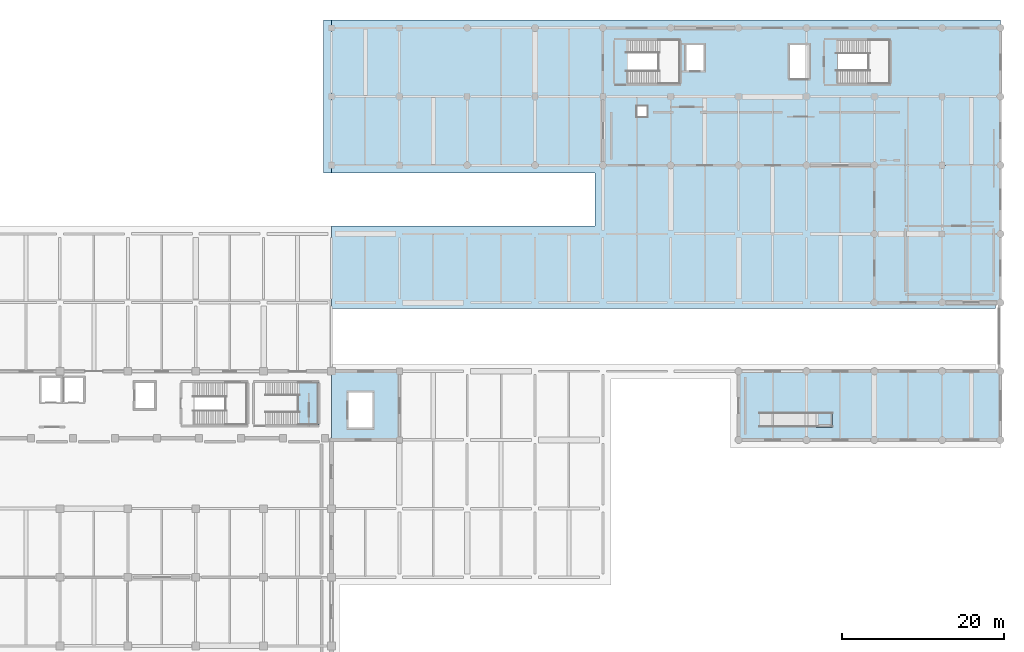
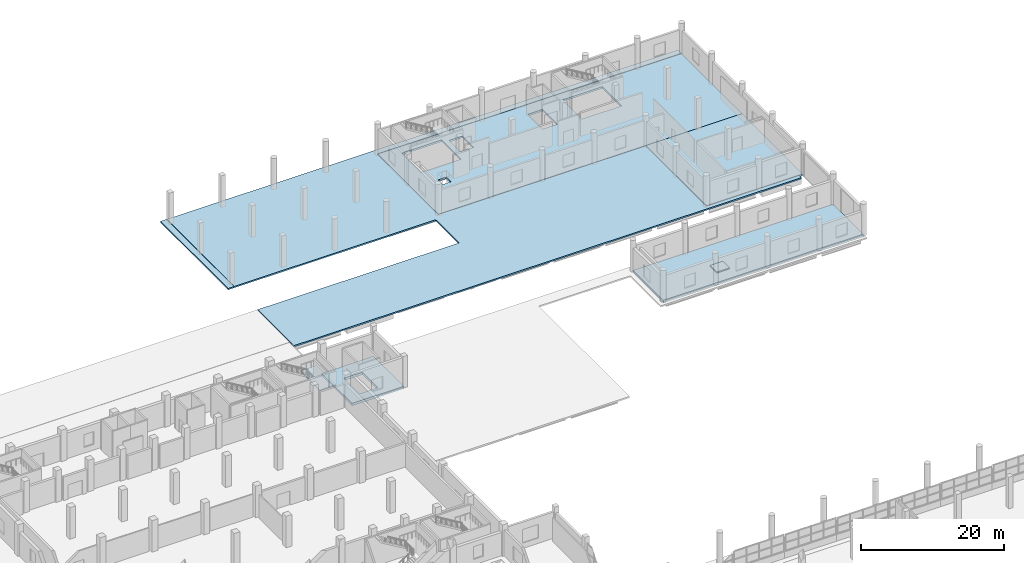
# One storey, part 83 of 107: 8 slabs, 2 elements without a shape of their own.
"""IFC4 building model written with IfcOpenShell, lengths in metres."""

from ifc_helpers import new_model, si_unit, direction, frame, origin, place, context, subcontext, project, spatial, polyline, outline, extrude, material, layer, layer_set, type_object, element, aggregate, save


model = new_model("IFC4")

# Units and contexts
model_context = context("Model", 3, precision=1e-05, world=origin(), true_north=direction((0.0, 1.0)))
body_context = subcontext(model_context, "Body", "Model", "MODEL_VIEW")
ifc_project = project(units=[si_unit("LENGTHUNIT", "METRE"), si_unit("AREAUNIT", "SQUARE_METRE"), si_unit("VOLUMEUNIT", "CUBIC_METRE"), si_unit("PLANEANGLEUNIT", "RADIAN"), si_unit("MASSUNIT", "GRAM", prefix="KILO")], contexts=[model_context])

# Site, building, storey
site_placement = place(None, origin())
site = spatial("IfcSite", under=ifc_project, at=site_placement, CompositionType="ELEMENT")
building_placement = place(site_placement, origin())
building = spatial("IfcBuilding", under=site, at=building_placement, Name="Solvento Point Concert Hall", CompositionType="ELEMENT")
storey_placement = place(building_placement, origin())
storey = spatial("IfcBuildingStorey", under=building, at=storey_placement, Name="L00", CompositionType="ELEMENT", Elevation=0.0)

# Slabs
ifc_material_1 = material(Name="Concrete C35/45", Category="concrete")
ifc_layer_1 = layer(ifc_material_1, 0.300048828125)
ifc_layer_set_1 = layer_set([ifc_layer_1], Name="Concrete C35/45")
slab_type_1 = type_object("IfcSlabType", Name="FloorSlab_300", PredefinedType="FLOOR", material=ifc_layer_set_1)
slab_1_placement = place(storey_placement, frame((0.0, 0.0, -0.300048828125)))
element("IfcSlab", 1, at=slab_1_placement, inside=storey, type_object=slab_type_1, Name="Structural slab SL-L00 SLAB-L00-V5N", PredefinedType="FLOOR", context=body_context, shape_type="SweptSolid", body=[
    extrude(outline(polyline([(166.800048828125, 136.0), (216.0, 136.0), (216.0, 119.0), (166.800048828125, 119.0), (166.800048828125, 136.0)]), holes=[polyline([(202.300048828125, 134.5), (195.85009765625, 134.5), (195.85009765625, 129.10009765625), (202.300048828125, 129.10009765625), (202.300048828125, 134.5)]), polyline([(192.280029296875, 133.8798828125), (189.919921875, 133.8798828125), (189.919921875, 129.719970703125), (192.280029296875, 129.719970703125), (192.280029296875, 133.8798828125)]), polyline([(179.280029296875, 133.8798828125), (177.1201171875, 133.8798828125), (177.1201171875, 130.719970703125), (179.280029296875, 130.719970703125), (179.280029296875, 133.8798828125)]), polyline([(176.300048828125, 134.5), (169.85009765625, 134.5), (169.85009765625, 129.10009765625), (176.300048828125, 129.10009765625), (176.300048828125, 134.5)]), polyline([(172.300048828125, 126.300048828125), (171.0, 126.300048828125), (171.0, 125.0), (172.300048828125, 125.0), (172.300048828125, 126.300048828125)])]), origin(), (0.0, 0.0, 1.0), 0.300048828125),
])
slab_2_placement = place(storey_placement, frame((0.0, 0.0, -0.300048828125)))
element("IfcSlab", 2, at=slab_2_placement, inside=storey, type_object=slab_type_1, Name="Structural slab SL-L00 SLAB-L00-V5E2", PredefinedType="FLOOR", context=body_context, shape_type="SweptSolid", body=[
    extrude(outline(polyline([(200.39990234375, 119.0), (216.0, 119.0), (216.0, 102.0), (200.39990234375, 102.0), (200.39990234375, 119.0)])), origin(), (0.0, 0.0, 1.0), 0.300048828125),
])
ifc_material_2 = material(Name="Concrete C40/50", Category="concrete")
ifc_layer_2 = layer(ifc_material_2, 0.4599609375)
ifc_layer_set_2 = layer_set([ifc_layer_2], Name="Concrete C40/50")
slab_type_2 = type_object("IfcSlabType", Name="FloorSlab_380_V5S", PredefinedType="FLOOR", material=ifc_layer_set_2)
slab_3_placement = place(storey_placement, frame((0.0, 0.0, -0.4599609375)))
element("IfcSlab", 3, at=slab_3_placement, inside=storey, type_object=slab_type_2, Name="Structural slab SL-V5S SLAB-L00-V5S", PredefinedType="FLOOR", context=body_context, shape_type="SweptSolid", body=[
    extrude(outline(polyline([(183.60009765625, 93.5), (216.0, 93.5), (216.0, 85.0), (183.60009765625, 85.0), (183.60009765625, 93.5)])), origin(), (0.0, 0.0, 1.0), 0.4599609375),
])
ifc_material_3 = material(Name="Concrete C35/45", Category="concrete")
ifc_layer_3 = layer(ifc_material_3, 0.409912109375)
ifc_layer_set_3 = layer_set([ifc_layer_3], Name="Concrete C35/45")
slab_type_3 = type_object("IfcSlabType", Name="FloorSlab_405_Ground", PredefinedType="FLOOR", material=ifc_layer_set_3)
slab_4_placement = place(storey_placement, frame((0.0, 0.0, -0.409912109375)))
element("IfcSlab", 4, at=slab_4_placement, inside=storey, type_object=slab_type_3, Name="Structural slab SL-G40 SLAB-L00-V5M", PredefinedType="FLOOR", context=body_context, shape_type="SweptSolid", body=[
    extrude(outline(polyline([(133.199951171875, 93.5), (141.60009765625, 93.5), (141.60009765625, 85.0), (133.199951171875, 85.0), (133.199951171875, 93.5)]), holes=[polyline([(138.280029296875, 90.8798828125), (135.320068359375, 90.8798828125), (135.320068359375, 86.52001953125), (138.280029296875, 86.52001953125), (138.280029296875, 90.8798828125)])]), origin(), (0.0, 0.0, 1.0), 0.409912109375),
])

# Stair, slab
ifc_material_4 = material(Name="Concrete C35/45", Category="concrete")
stair_type = type_object("IfcStairType", Name="CoreStair_1600", PredefinedType="HALF_TURN_STAIR", material=ifc_material_4)
stair_placement = place(storey_placement, origin())
stair = element("IfcStair", 5, at=stair_placement, inside=storey, type_object=stair_type, Name="Auditorium vomitory exit stair VOM-04 (L00 to L01)", PredefinedType="HALF_TURN_STAIR")
ifc_material_5 = material(Name="Concrete C35/45", Category="concrete")
ifc_layer_4 = layer(ifc_material_5, 0.179931640625)
ifc_layer_set_4 = layer_set([ifc_layer_4], Name="Concrete C35/45")
slab_type_4 = type_object("IfcSlabType", Name="StairLanding_180", PredefinedType="LANDING", material=ifc_layer_set_4)
slab_5_placement = place(storey_placement, frame((0.0, 0.0, 2.52001953125)))
slab_5 = element("IfcSlab", 6, at=slab_5_placement, type_object=slab_type_4, Name="Stair half-landing VOM-04 L00", PredefinedType="LANDING", context=body_context, shape_type="SweptSolid", body=[
    extrude(outline(polyline([(129.0, 86.760009765625), (131.639892578125, 86.760009765625), (131.639892578125, 92.239990234375), (129.0, 92.239990234375), (129.0, 86.760009765625)])), origin(), (0.0, 0.0, 1.0), 0.179931640625),
])
aggregate(stair, [slab_5])

# Ramp, slab
ifc_material_6 = material(Name="Concrete C35/45", Category="concrete")
ramp_type = type_object("IfcRampType", Name="PedestrianADARamp", PredefinedType="STRAIGHT_RUN_RAMP", material=ifc_material_6)
ramp_placement = place(storey_placement, origin())
ramp = element("IfcRamp", 7, at=ramp_placement, inside=storey, type_object=ramp_type, Name="Accessible 1:12 pedestrian ramp RMP-H4", PredefinedType="STRAIGHT_RUN_RAMP")
slab_6_placement = place(storey_placement, frame((0.0, 0.0, 0.3701171875)))
slab_6 = element("IfcSlab", 8, at=slab_6_placement, type_object=slab_type_4, Name="Accessible ramp top landing RMP-H4", PredefinedType="LANDING", context=body_context, shape_type="SweptSolid", body=[
    extrude(outline(polyline([(193.179931640625, 86.56005859375), (195.25, 86.56005859375), (195.25, 88.43994140625), (193.179931640625, 88.43994140625), (193.179931640625, 86.56005859375)])), origin(), (0.0, 0.0, 1.0), 0.179931640625),
])
aggregate(ramp, [slab_6])

# Slabs
ifc_material_7 = material(Name="Concrete C40/50", Category="concrete")
ifc_layer_5 = layer(ifc_material_7, 0.239990234375)
ifc_layer_set_5 = layer_set([ifc_layer_5], Name="Concrete C40/50")
slab_type_5 = type_object("IfcSlabType", Name="TerraceSlab_250", PredefinedType="FLOOR", material=ifc_layer_set_5)
slab_7_placement = place(storey_placement, frame((0.0, 0.0, -0.239990234375)))
element("IfcSlab", 9, at=slab_7_placement, inside=storey, type_object=slab_type_5, Name="Outdoor public terrace deck L00", PredefinedType="FLOOR", context=body_context, shape_type="SweptSolid", body=[
    extrude(outline(polyline([(132.219970703125, 136.97998046875), (133.179931640625, 136.97998046875), (133.179931640625, 118.02001953125), (132.219970703125, 118.02001953125), (132.219970703125, 136.97998046875)])), origin(), (0.0, 0.0, 1.0), 0.239990234375),
])
slab_8_placement = place(storey_placement, frame((0.0, 0.0, -0.239990234375)))
element("IfcSlab", 10, at=slab_8_placement, inside=storey, type_object=slab_type_5, Name="Outdoor public terrace deck L00", PredefinedType="FLOOR", context=body_context, shape_type="SweptSolid", body=[
    extrude(outline(polyline([(165.820068359375, 118.02001953125), (133.219970703125, 118.02001953125), (133.219970703125, 136.97998046875), (216.0, 136.97998046875), (216.0, 136.02490234375), (166.77490234375, 136.02490234375), (166.77490234375, 118.97509765625), (200.375, 118.97509765625), (200.375, 101.97509765625), (215.375, 101.97509765625), (215.375, 101.300048828125), (133.219970703125, 101.300048828125), (133.219970703125, 111.47998046875), (165.820068359375, 111.47998046875), (165.820068359375, 118.02001953125)])), origin(), (0.0, 0.0, 1.0), 0.239990234375),
])

save(model, "model.ifc")
